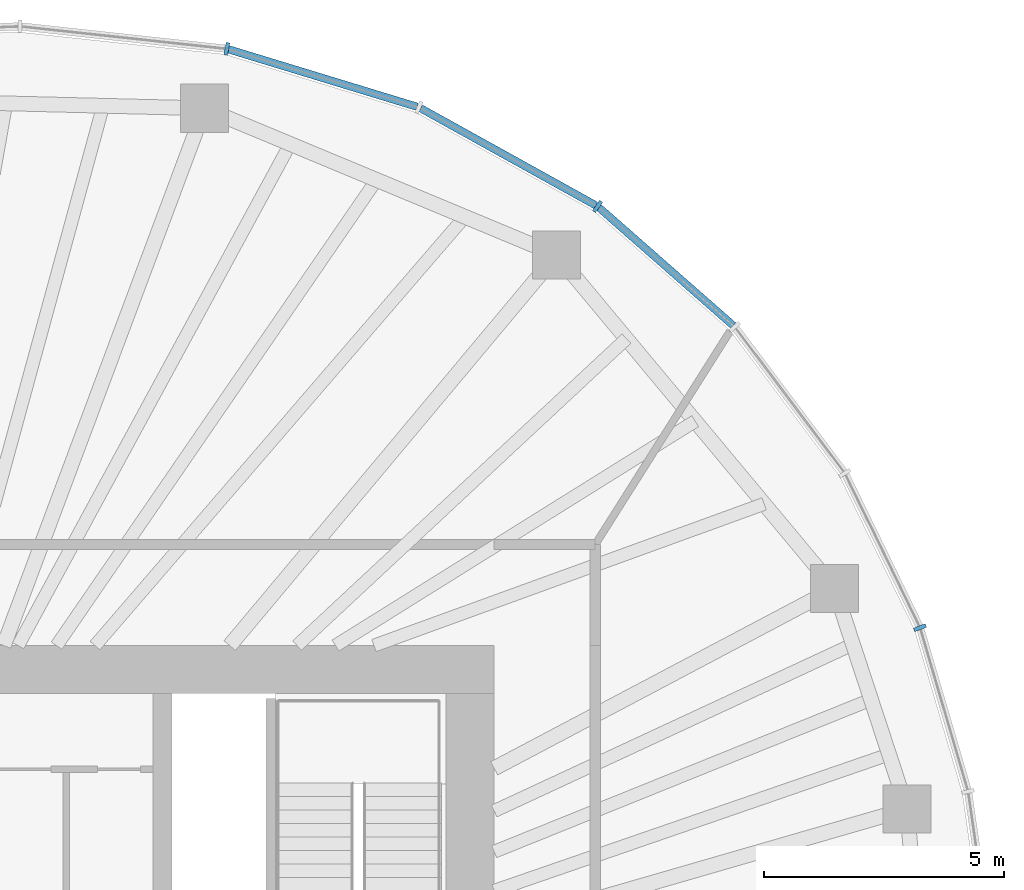
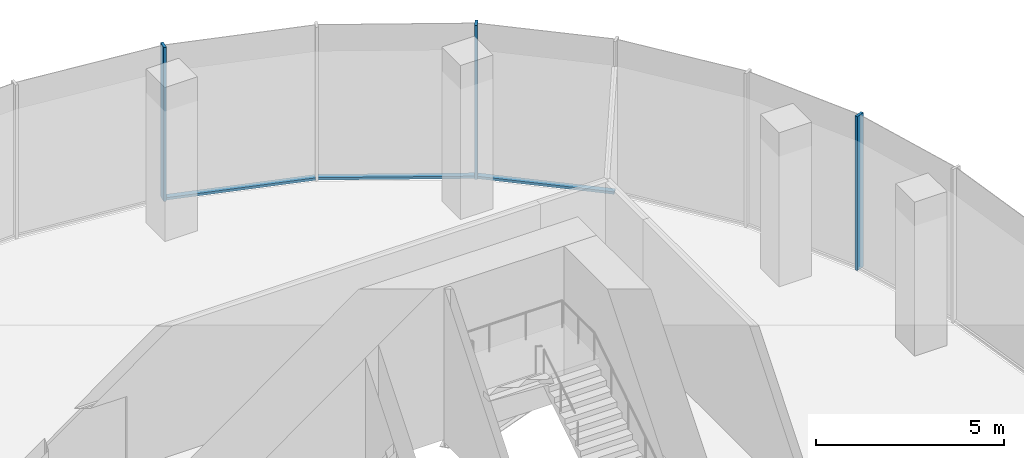
# One storey, part 6 of 11: 6 members, 4 elements without a shape of their own.
"""IFC4 building model written with IfcOpenShell, lengths in metres."""

import ifcopenshell
import ifcopenshell.guid

model = None  # the IFC model being written
_history = None  # IfcOwnerHistory: only IFC2X3 demands one
_inside = {}  # id of a spatial element -> (the spatial element, [elements in it])
_under = {}  # id of a project, library or spatial element -> (it, [spatial elements below it])
_declared = {}  # id of a project -> (the project, [libraries it declares])
_typed = {}  # id of a type object -> (the type object, [elements of that type])
_made_of = {}  # id of a material, layer set ... -> (it, [elements and type objects made of it])


def new_model(schema):
    """Start an empty IFC model of exactly this schema.

    Asked for "IFC4X3", IfcOpenShell would pick the latest addendum, in which some entities
    have other attributes; the version numbers below select the first issue.
    IFC2X3 requires an IfcOwnerHistory on every rooted entity: one is made here for all.
    """
    global model, _history
    if schema == "IFC4X3":
        model = ifcopenshell.file(schema_version=(4, 3, 0, 0))
    else:
        model = ifcopenshell.file(schema=schema)
    _inside.clear()
    _under.clear()
    _declared.clear()
    _typed.clear()
    _made_of.clear()
    _history = None
    if model.schema == "IFC2X3":
        org = make("IfcOrganization", Name="unknown")
        user = make(
            "IfcPersonAndOrganization",
            ThePerson=make("IfcPerson", FamilyName="unknown"),
            TheOrganization=org,
        )
        app = make(
            "IfcApplication",
            ApplicationDeveloper=org,
            Version="unknown",
            ApplicationFullName="unknown",
            ApplicationIdentifier="unknown",
        )
        _history = make(
            "IfcOwnerHistory",
            OwningUser=user,
            OwningApplication=app,
            ChangeAction="ADDED",
            CreationDate=0,
        )
    return model


def make(cls, **values):
    """One entity of the class cls with the attributes given. An attribute that is None is left unset."""
    return model.create_entity(
        cls, **{name: value for name, value in values.items() if value is not None}
    )


def rooted(cls, **values):
    """An entity with a GlobalId (a new one), such as an element, a storey or a relation."""
    return make(cls, GlobalId=ifcopenshell.guid.new(), OwnerHistory=_history, **values)


def si_unit(unit_type, name, prefix=None):
    """IfcSIUnit, for example si_unit("LENGTHUNIT", "METRE", prefix="MILLI")."""
    return make("IfcSIUnit", UnitType=unit_type, Prefix=prefix, Name=name)


def assignment(units):
    """IfcUnitAssignment: the units of a project."""
    return None if units is None else make("IfcUnitAssignment", Units=units)


def point(xyz):
    """IfcCartesianPoint."""
    return None if xyz is None else make("IfcCartesianPoint", Coordinates=xyz)


def direction(xyz):
    """IfcDirection."""
    return None if xyz is None else make("IfcDirection", DirectionRatios=xyz)


def frame(location, z_axis=None, x_axis=None):
    """IfcAxis2Placement3D, a coordinate frame: its origin and axes. An axis left out is left unset."""
    return make(
        "IfcAxis2Placement3D",
        Location=point(location),
        Axis=direction(z_axis),
        RefDirection=direction(x_axis),
    )


def frame_2d(location, x_axis=None):
    """IfcAxis2Placement2D, a coordinate frame in the plane: its origin and x axis."""
    return make(
        "IfcAxis2Placement2D", Location=point(location), RefDirection=direction(x_axis)
    )


def origin():
    """The frame at (0, 0, 0) with its axes left unset."""
    return frame((0.0, 0.0, 0.0))


def origin_2d():
    """The frame at (0, 0) in the plane with its x axis left unset."""
    return frame_2d((0.0, 0.0))


def place(relative_to, where):
    """IfcLocalPlacement: puts the frame where relative to a parent placement (None: the world)."""
    return make(
        "IfcLocalPlacement", PlacementRelTo=relative_to, RelativePlacement=where
    )


def context(
    kind, dimensions, precision=None, world=None, true_north=None, identifier=None
):
    """IfcGeometricRepresentationContext, for example the 3D "Model" context."""
    return make(
        "IfcGeometricRepresentationContext",
        ContextIdentifier=identifier,
        ContextType=kind,
        CoordinateSpaceDimension=dimensions,
        Precision=precision,
        WorldCoordinateSystem=world,
        TrueNorth=true_north,
    )


def subcontext(parent, identifier, kind, view, scale=None):
    """IfcGeometricRepresentationSubContext, for example "Body" below "Model"."""
    return make(
        "IfcGeometricRepresentationSubContext",
        ContextIdentifier=identifier,
        ContextType=kind,
        ParentContext=parent,
        TargetScale=scale,
        TargetView=view,
    )


def project(units=None, contexts=None):
    """IfcProject with its units and contexts."""
    return rooted(
        "IfcProject",
        Name="project",
        RepresentationContexts=contexts,
        UnitsInContext=assignment(units),
    )


def spatial(cls, under=None, at=None, **own):
    """A site, building, storey or space (cls), placed at a placement, below another one or the project."""
    s = rooted(cls, ObjectPlacement=at, **own)
    if under is not None:
        _under.setdefault(under.id(), (under, []))[1].append(s)
    return s


def profile(cls, at=None, kind="AREA", **sizes):
    """A parametric profile (cls). Its sizes go by their IFC names, for example OverallWidth=200.0."""
    return make(cls, ProfileType=kind, Position=at, **sizes)


def rectangle(**sizes):
    """IfcRectangleProfileDef."""
    return profile("IfcRectangleProfileDef", **sizes)


def extrude(swept, where, along, depth):
    """IfcExtrudedAreaSolid: the profile swept, set in the frame where, extruded along a direction by depth."""
    return make(
        "IfcExtrudedAreaSolid",
        SweptArea=swept,
        Position=where,
        ExtrudedDirection=direction(along),
        Depth=depth,
    )


def shape(context_of_items, identifier, shape_type, items):
    """IfcShapeRepresentation: the items that make up one representation, for example the "Body"."""
    return make(
        "IfcShapeRepresentation",
        ContextOfItems=context_of_items,
        RepresentationIdentifier=identifier,
        RepresentationType=shape_type,
        Items=items,
    )


def material(Name=None, Category=None):
    """IfcMaterial."""
    return make("IfcMaterial", Name=Name, Category=Category)


def material_profile(
    of_material, cross_section, Name=None, Category=None, Priority=None
):
    """IfcMaterialProfile: a cross section and its material."""
    return make(
        "IfcMaterialProfile",
        Name=Name,
        Material=of_material,
        Profile=cross_section,
        Priority=Priority,
        Category=Category,
    )


def profile_set(profiles, Name=None, composite=None):
    """IfcMaterialProfileSet."""
    return make(
        "IfcMaterialProfileSet",
        Name=Name,
        MaterialProfiles=profiles,
        CompositeProfile=composite,
    )


def made_of(thing, what):
    """Note that an element or type object is made of a material, layer set ...; save() writes the relation."""
    if what is not None:
        _made_of.setdefault(what.id(), (what, []))[1].append(thing)
    return thing


def type_object(cls, material=None, **own):
    """A type object (cls), such as IfcWallType, which elements share."""
    return made_of(rooted(cls, **own), material)


def element(
    cls,
    number,
    at=None,
    inside=None,
    cuts=None,
    type_object=None,
    material=None,
    context=None,
    identifier="Body",
    shape_type=None,
    held_by="IfcProductDefinitionShape",
    body=None,
    shapes=None,
    **own,
):
    """One element of the class cls, such as IfcWall. Its Tag is "e" and its number.

    at: its placement. inside: the storey or other place that contains it. cuts: it is an
    opening in that element (IfcRelVoidsElement). A single representation is given by context,
    identifier, shape_type and body (its items); several are given by shapes. held_by: the class
    of the entity that holds the representations. save() writes the other relations.
    """
    e = rooted(cls, Tag="e%d" % number, ObjectPlacement=at, **own)
    if body is not None:
        shapes = [shape(context, identifier, shape_type, body)]
    if shapes is not None:
        e.Representation = make(held_by, Representations=shapes)
    if inside is not None:
        _inside.setdefault(inside.id(), (inside, []))[1].append(e)
    if cuts is not None:
        rooted(
            "IfcRelVoidsElement", RelatingBuildingElement=cuts, RelatedOpeningElement=e
        )
    if type_object is not None:
        _typed.setdefault(type_object.id(), (type_object, []))[1].append(e)
    return made_of(e, material)


def aggregate(whole, parts):
    """IfcRelAggregates: a whole, such as a stair, and the parts it consists of."""
    return rooted("IfcRelAggregates", RelatingObject=whole, RelatedObjects=parts)


def save(model, path):
    """Write the relations noted so far, then the file.

    IfcRelAggregates (storeys below a building ...), IfcRelContainedInSpatialStructure (elements
    in a storey), IfcRelDefinesByType, IfcRelAssociatesMaterial and IfcRelDeclares: one each for
    every whole, place, type object, material and project.
    """
    for whole, parts in _under.values():
        aggregate(whole, parts)
    for where, things in _inside.values():
        rooted(
            "IfcRelContainedInSpatialStructure",
            RelatedElements=things,
            RelatingStructure=where,
        )
    for kind, things in _typed.values():
        rooted("IfcRelDefinesByType", RelatedObjects=things, RelatingType=kind)
    for what, things in _made_of.values():
        rooted("IfcRelAssociatesMaterial", RelatedObjects=things, RelatingMaterial=what)
    for by, libraries in _declared.values():
        rooted("IfcRelDeclares", RelatingContext=by, RelatedDefinitions=libraries)
    model.write(path)


model = new_model("IFC4")

# Units and contexts
model_context = context("Model", 3, precision=1e-05, world=origin(), true_north=direction((0.0, 1.0)))
body_context = subcontext(model_context, "Body", "Model", "MODEL_VIEW")
ifc_project = project(units=[si_unit("LENGTHUNIT", "METRE"), si_unit("AREAUNIT", "SQUARE_METRE"), si_unit("VOLUMEUNIT", "CUBIC_METRE"), si_unit("PLANEANGLEUNIT", "RADIAN"), si_unit("MASSUNIT", "GRAM", prefix="KILO")], contexts=[model_context])

# Site, building, storey
site_placement = place(None, origin())
site = spatial("IfcSite", under=ifc_project, at=site_placement, CompositionType="ELEMENT")
building_placement = place(site_placement, origin())
building = spatial("IfcBuilding", under=site, at=building_placement, Name="Ghaith Harvest Tower", CompositionType="ELEMENT")
storey_placement = place(building_placement, frame((0.0, 0.0, 339.199951171875)))
storey = spatial("IfcBuildingStorey", under=building, at=storey_placement, Name="L76", CompositionType="ELEMENT", Elevation=339.199951171875)

# Curtain wall, member
ifc_material_1 = material(Name="Black anodised aluminium and fritted glass", Category="aluminium")
curtain_wall_type = type_object("IfcCurtainWallType", Name="CW-C CURTAIN WALL", PredefinedType="NOTDEFINED", material=ifc_material_1)
curtain_wall_1_placement = place(storey_placement, origin())
curtain_wall_1 = element("IfcCurtainWall", 1, at=curtain_wall_1_placement, inside=storey, type_object=curtain_wall_type, Name="Curtain wall CW-C bay 02 L76", PredefinedType="NOTDEFINED")
ifc_material_2 = material(Name="Aluminium, black anodised", Category="aluminium")
ifc_material_profile_1 = material_profile(ifc_material_2, rectangle(XDim=0.080078125, YDim=0.260009765625, at=origin_2d()), Name="CW-C MULLION 80x260")
ifc_profile_set_1 = profile_set([ifc_material_profile_1], Name="Aluminium, black anodised")
member_type_1 = type_object("IfcMemberType", Name="CW-C MULLION 80x260", PredefinedType="MULLION", material=ifc_profile_set_1)
member_1_placement = place(storey_placement, frame((22.754150390625, 10.272216796875, 0.0), z_axis=(0.0, 0.0, 1.0), x_axis=(-0.361184273709, 0.932494461338, 0.0)))
member_1 = element("IfcMember", 2, at=member_1_placement, type_object=member_type_1, Name="CW-C mullion 2 bay 02 L76", PredefinedType="MULLION", context=body_context, shape_type="SweptSolid", body=[
    extrude(rectangle(XDim=0.080078125, YDim=0.260009765625, at=origin_2d()), origin(), (0.0, 0.0, 1.0), 5.0),
])
aggregate(curtain_wall_1, [member_1])

curtain_wall_2_placement = place(storey_placement, origin())
curtain_wall_2 = element("IfcCurtainWall", 3, at=curtain_wall_2_placement, inside=storey, type_object=curtain_wall_type, Name="Curtain wall CW-C bay 04 L76", PredefinedType="NOTDEFINED")
member_2_placement = place(storey_placement, frame((16.04931640625, 19.031982421875, 0.0), z_axis=(0.0, 0.0, 1.0), x_axis=(-0.821112053873, 0.570767023385, 0.0)))
member_2 = element("IfcMember", 4, at=member_2_placement, type_object=member_type_1, Name="CW-C mullion 1 bay 04 L76", PredefinedType="MULLION", context=body_context, shape_type="SweptSolid", body=[
    extrude(rectangle(XDim=0.080078125, YDim=0.260009765625, at=origin_2d()), origin(), (0.0, 0.0, 1.0), 5.0),
])

curtain_wall_3_placement = place(storey_placement, origin())
curtain_wall_3 = element("IfcCurtainWall", 5, at=curtain_wall_3_placement, inside=storey, type_object=curtain_wall_type, Name="Curtain wall CW-C bay 05 L76", PredefinedType="NOTDEFINED")
member_3_placement = place(storey_placement, frame((8.33984375, 22.308837890625, 0.0), z_axis=(0.0, 0.0, 1.0), x_axis=(-0.980000193436, 0.198996534809, 0.0)))
member_3 = element("IfcMember", 6, at=member_3_placement, type_object=member_type_1, Name="CW-C mullion 1 bay 05 L76", PredefinedType="MULLION", context=body_context, shape_type="SweptSolid", body=[
    extrude(rectangle(XDim=0.080078125, YDim=0.260009765625, at=origin_2d()), origin(), (0.0, 0.0, 1.0), 5.0),
])
aggregate(curtain_wall_3, [member_3])

curtain_wall_4_placement = place(storey_placement, origin())
curtain_wall_4 = element("IfcCurtainWall", 7, at=curtain_wall_4_placement, inside=storey, type_object=curtain_wall_type, Name="Curtain wall CW-C bay 03 L76", PredefinedType="NOTDEFINED")
ifc_material_3 = material(Name="Aluminium, black anodised", Category="aluminium")
ifc_material_profile_2 = material_profile(ifc_material_3, rectangle(XDim=0.159912109375, YDim=0.080078125, at=origin_2d()), Name="CW-C TRANSOM 160x80")
ifc_profile_set_2 = profile_set([ifc_material_profile_2], Name="Aluminium, black anodised")
member_type_2 = type_object("IfcMemberType", Name="CW-C TRANSOM 160x80", PredefinedType="USERDEFINED", material=ifc_profile_set_2)
member_4_placement = place(storey_placement, frame((18.87109375, 16.553466796875, 0.0400390625), z_axis=(-0.751325799984, 0.659931467865, 0.0), x_axis=(-0.659931467865, -0.751325799984, 0.0)))
member_4 = element("IfcMember", 8, at=member_4_placement, type_object=member_type_2, Name="CW-C transom 2 bay 03 L76", ObjectType="TRANSOM", PredefinedType="USERDEFINED", context=body_context, shape_type="SweptSolid", body=[
    extrude(rectangle(XDim=0.159912109375, YDim=0.080078125, at=origin_2d()), origin(), (0.0, 0.0, 1.0), 3.7158203125),
])
aggregate(curtain_wall_4, [member_4])

# Member
member_5_placement = place(storey_placement, frame((16.01416015625, 19.051513671875, 0.0400390625), z_axis=(-0.874552130553, 0.484931511603, 0.0), x_axis=(-0.484931511603, -0.874552130553, 0.0)))
member_5 = element("IfcMember", 9, at=member_5_placement, type_object=member_type_2, Name="CW-C transom 1 bay 04 L76", ObjectType="TRANSOM", PredefinedType="USERDEFINED", context=body_context, shape_type="SweptSolid", body=[
    extrude(rectangle(XDim=0.159912109375, YDim=0.080078125, at=origin_2d()), origin(), (0.0, 0.0, 1.0), 4.16748046875),
])

member_6_placement = place(storey_placement, frame((12.296142578125, 21.103515625, 0.0400390625), z_axis=(-0.956593713342, 0.291424891858, 0.0), x_axis=(-0.291424891858, -0.956593713342, 0.0)))
member_6 = element("IfcMember", 10, at=member_6_placement, type_object=member_type_2, Name="CW-C transom 2 bay 04 L76", ObjectType="TRANSOM", PredefinedType="USERDEFINED", context=body_context, shape_type="SweptSolid", body=[
    extrude(rectangle(XDim=0.159912109375, YDim=0.080078125, at=origin_2d()), origin(), (0.0, 0.0, 1.0), 4.095703125),
])

aggregate(curtain_wall_2, [member_2, member_5, member_6])

save(model, "model.ifc")
